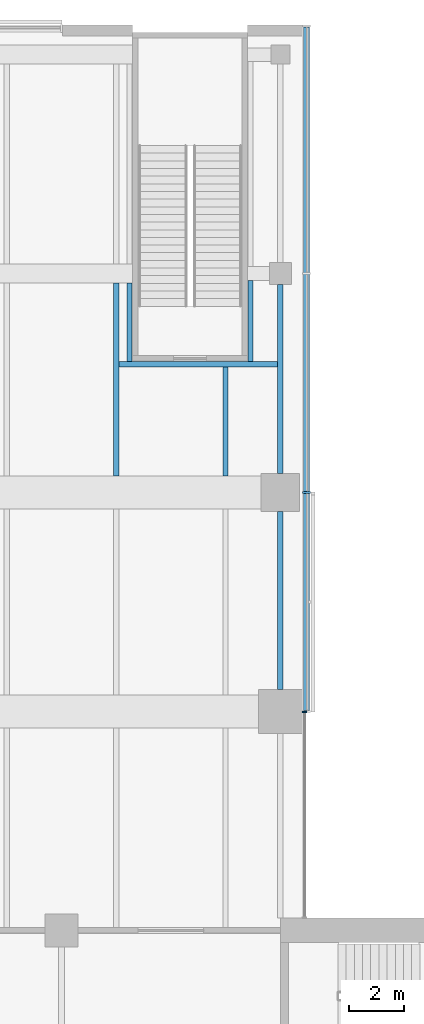
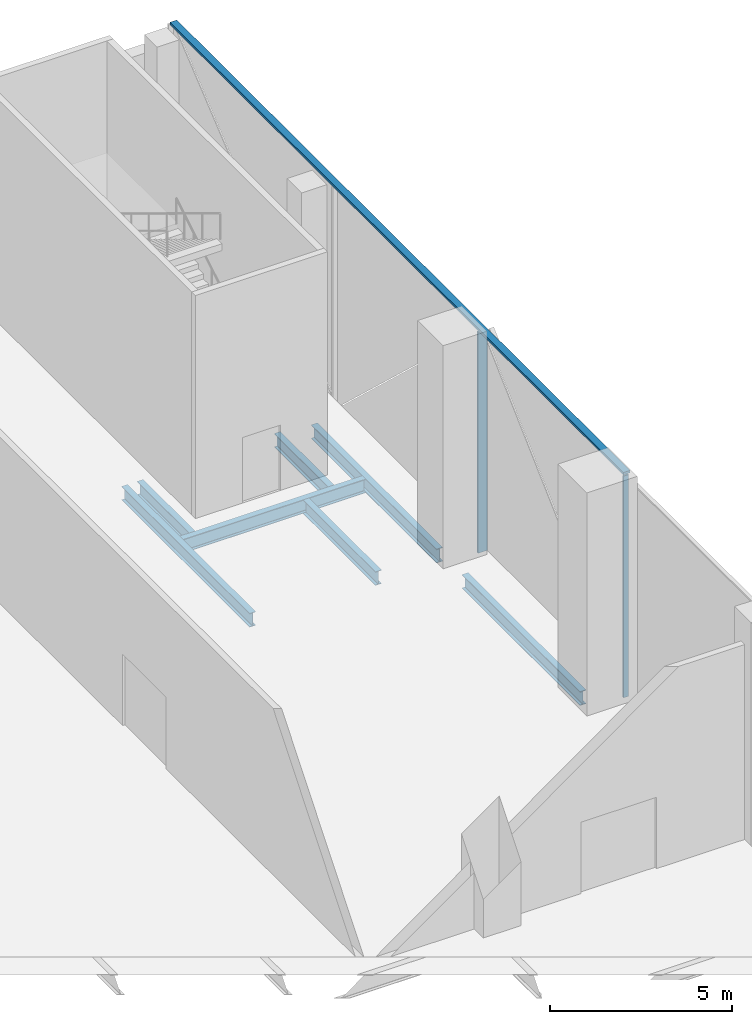
# One storey, part 10 of 25: 7 beams, 3 members, 2 elements without a shape of their own.
"""IFC4 building model written with IfcOpenShell, lengths in metres."""

from ifc_helpers import new_model, si_unit, direction, frame, origin, origin_2d, place, context, subcontext, project, spatial, rectangle, i_section, extrude, material, material_profile, profile_set, type_object, element, aggregate, save


model = new_model("IFC4")

# Units and contexts
model_context = context("Model", 3, precision=1e-05, world=origin(), true_north=direction((0.0, 1.0)))
body_context = subcontext(model_context, "Body", "Model", "MODEL_VIEW")
ifc_project = project(units=[si_unit("LENGTHUNIT", "METRE"), si_unit("AREAUNIT", "SQUARE_METRE"), si_unit("VOLUMEUNIT", "CUBIC_METRE"), si_unit("PLANEANGLEUNIT", "RADIAN"), si_unit("MASSUNIT", "GRAM", prefix="KILO")], contexts=[model_context])

# Site, building, storey
site_placement = place(None, origin())
site = spatial("IfcSite", under=ifc_project, at=site_placement, CompositionType="ELEMENT")
building_placement = place(site_placement, origin())
building = spatial("IfcBuilding", under=site, at=building_placement, Name="Crosswind Convention Tower", CompositionType="ELEMENT")
storey_placement = place(building_placement, frame((0.0, 0.0, 17.5)))
storey = spatial("IfcBuildingStorey", under=building, at=storey_placement, Name="L02", CompositionType="ELEMENT", Elevation=17.5)

# Beams
ifc_material_1 = material(Name="Steel S355", Category="steel")
ifc_material_profile_1 = material_profile(ifc_material_1, i_section(OverallWidth=0.19287109375, OverallDepth=0.467529296875, WebThickness=0.011474609375, FlangeThickness=0.01953125, FilletRadius=0.01025390625, at=origin_2d()), Name="UB 457x191x98")
ifc_profile_set_1 = profile_set([ifc_material_profile_1], Name="Steel S355")
beam_type_1 = type_object("IfcBeamType", Name="Edge beam UB 457x191x98", PredefinedType="SPANDREL", material=ifc_profile_set_1)
beam_1_placement = place(storey_placement, frame((137.0, 120.800048828125, -0.6337890625), z_axis=(0.0, 1.0, 0.0), x_axis=(-1.0, 0.0, 0.0)))
element("IfcBeam", 1, at=beam_1_placement, inside=storey, type_object=beam_type_1, Name="B20 L02 edge beam 18", PredefinedType="SPANDREL", context=body_context, shape_type="SweptSolid", body=[
    extrude(i_section(OverallWidth=0.19287109375, OverallDepth=0.467529296875, WebThickness=0.011474609375, FlangeThickness=0.01953125, FilletRadius=0.01025390625, at=origin_2d()), origin(), (0.0, 0.0, 1.0), 6.5),
])
beam_2_placement = place(storey_placement, frame((137.0, 128.699951171875, -0.6337890625), z_axis=(0.0, 1.0, 0.0), x_axis=(-1.0, 0.0, 0.0)))
element("IfcBeam", 2, at=beam_2_placement, inside=storey, type_object=beam_type_1, Name="B20 L02 edge beam 19", PredefinedType="SPANDREL", context=body_context, shape_type="SweptSolid", body=[
    extrude(i_section(OverallWidth=0.19287109375, OverallDepth=0.467529296875, WebThickness=0.011474609375, FlangeThickness=0.01953125, FilletRadius=0.01025390625, at=origin_2d()), origin(), (0.0, 0.0, 1.0), 6.900146484375),
])

# Curtain wall, member
ifc_material_2 = material(Name="Aluminium unitised curtain wall", Category="aluminium")
curtain_wall_type_1 = type_object("IfcCurtainWallType", Name="CORE END SLOT WALL 160", PredefinedType="USERDEFINED", material=ifc_material_2)
curtain_wall_1_placement = place(storey_placement, origin())
curtain_wall_1 = element("IfcCurtainWall", 3, at=curtain_wall_1_placement, inside=storey, type_object=curtain_wall_type_1, Name="CW6 L02 N-E.1-1 slot", ObjectType="UNITISED", PredefinedType="USERDEFINED")
ifc_material_3 = material(Name="Aluminium mullion", Category="aluminium")
ifc_material_profile_2 = material_profile(ifc_material_3, rectangle(XDim=0.159912109375, YDim=0.050048828125, at=origin_2d()), Name="AL 160X50")
ifc_profile_set_2 = profile_set([ifc_material_profile_2], Name="Aluminium mullion")
member_type_1 = type_object("IfcMemberType", Name="MULLION 50X160", PredefinedType="MULLION", material=ifc_profile_set_2)
member_1_placement = place(storey_placement, frame((137.8798828125, 119.97509765625, -0.39990234375), z_axis=(0.0, 0.0, 1.0), x_axis=(1.0, 0.0, 0.0)))
member_1 = element("IfcMember", 4, at=member_1_placement, type_object=member_type_1, Name="CW6 mullion 2", PredefinedType="MULLION", context=body_context, shape_type="SweptSolid", body=[
    extrude(rectangle(XDim=0.159912109375, YDim=0.050048828125, at=origin_2d()), origin(), (0.0, 0.0, 1.0), 7.449951171875),
])
aggregate(curtain_wall_1, [member_1])

curtain_wall_type_2 = type_object("IfcCurtainWallType", Name="PODIUM UNITISED WALL 300", PredefinedType="USERDEFINED", material=ifc_material_2)
curtain_wall_2_placement = place(storey_placement, origin())
curtain_wall_2 = element("IfcCurtainWall", 5, at=curtain_wall_2_placement, inside=storey, type_object=curtain_wall_type_2, Name="CW1 L02 N-E 1", ObjectType="UNITISED", PredefinedType="USERDEFINED")
ifc_material_profile_3 = material_profile(ifc_material_3, rectangle(XDim=0.300048828125, YDim=0.080078125, at=origin_2d()), Name="AL 300X80")
ifc_profile_set_3 = profile_set([ifc_material_profile_3], Name="Aluminium mullion")
member_type_2 = type_object("IfcMemberType", Name="MULLION 80X300", PredefinedType="MULLION", material=ifc_profile_set_3)
member_2_placement = place(storey_placement, frame((137.949951171875, 128.0, -0.39990234375), z_axis=(0.0, 0.0, 1.0), x_axis=(1.0, 0.0, 0.0)))
member_2 = element("IfcMember", 6, at=member_2_placement, type_object=member_type_2, Name="CW1 mullion 2", PredefinedType="MULLION", context=body_context, shape_type="SweptSolid", body=[
    extrude(rectangle(XDim=0.300048828125, YDim=0.080078125, at=origin_2d()), origin(), (0.0, 0.0, 1.0), 7.419921875),
])

# Beams
ifc_material_profile_4 = material_profile(ifc_material_1, i_section(OverallWidth=0.19140625, OverallDepth=0.460205078125, WebThickness=0.010009765625, FlangeThickness=0.01611328125, FilletRadius=0.01025390625, at=origin_2d()), Name="UB 457x191x82")
ifc_profile_set_4 = profile_set([ifc_material_profile_4], Name="Steel S355")
beam_type_2 = type_object("IfcBeamType", Name="Secondary beam UB 457x191x82", PredefinedType="JOIST", material=ifc_profile_set_4)
beam_3_placement = place(storey_placement, frame((131.0, 128.60009765625, -0.630126953125), z_axis=(0.0, 1.0, 0.0), x_axis=(-1.0, 0.0, 0.0)))
element("IfcBeam", 7, at=beam_3_placement, inside=storey, type_object=beam_type_2, Name="B13 L02 secondary beam 56", PredefinedType="JOIST", context=body_context, shape_type="SweptSolid", body=[
    extrude(i_section(OverallWidth=0.19140625, OverallDepth=0.460205078125, WebThickness=0.010009765625, FlangeThickness=0.01611328125, FilletRadius=0.01025390625, at=origin_2d()), origin(), (0.0, 0.0, 1.0), 7.0498046875),
])
beam_4_placement = place(storey_placement, frame((135.0, 128.60009765625, -0.630126953125), z_axis=(0.0, 1.0, 0.0), x_axis=(-1.0, 0.0, 0.0)))
element("IfcBeam", 8, at=beam_4_placement, inside=storey, type_object=beam_type_2, Name="B13 L02 secondary beam 63", PredefinedType="JOIST", context=body_context, shape_type="SweptSolid", body=[
    extrude(i_section(OverallWidth=0.19140625, OverallDepth=0.460205078125, WebThickness=0.010009765625, FlangeThickness=0.01611328125, FilletRadius=0.01025390625, at=origin_2d()), origin(), (0.0, 0.0, 1.0), 3.993896484375),
])

# Member
ifc_material_4 = material(Name="Aluminium transom", Category="aluminium")
ifc_material_profile_5 = material_profile(ifc_material_4, rectangle(XDim=0.219970703125, YDim=0.080078125, at=origin_2d()), Name="AL 220X80")
ifc_profile_set_5 = profile_set([ifc_material_profile_5], Name="Aluminium transom")
member_type_3 = type_object("IfcMemberType", Name="TRANSOM 80X220", PredefinedType="USERDEFINED", material=ifc_profile_set_5)
member_3_placement = place(storey_placement, frame((137.949951171875, 120.0400390625, 7.06005859375), z_axis=(0.0, 1.0, 0.0), x_axis=(-1.0, 0.0, 0.0)))
member_3 = element("IfcMember", 9, at=member_3_placement, type_object=member_type_3, Name="CW1 transom", ObjectType="TRANSOM", PredefinedType="USERDEFINED", context=body_context, shape_type="SweptSolid", body=[
    extrude(rectangle(XDim=0.219970703125, YDim=0.080078125, at=origin_2d()), origin(), (0.0, 0.0, 1.0), 24.96484375),
])

aggregate(curtain_wall_2, [member_2, member_3])

# Beams
ifc_material_profile_6 = material_profile(ifc_material_1, i_section(OverallWidth=0.19189453125, OverallDepth=0.463623046875, WebThickness=0.010498046875, FlangeThickness=0.017578125, FilletRadius=0.01025390625, at=origin_2d()), Name="UB 457x191x90")
ifc_profile_set_6 = profile_set([ifc_material_profile_6], Name="Steel S355")
beam_type_3 = type_object("IfcBeamType", Name="Trimmer beam UB 457x191x90", PredefinedType="BEAM", material=ifc_profile_set_6)
beam_5_placement = place(storey_placement, frame((131.095703125, 132.68994140625, -0.6318359375), z_axis=(1.0, 0.0, 0.0), x_axis=(0.0, 1.0, 0.0)))
element("IfcBeam", 10, at=beam_5_placement, inside=storey, type_object=beam_type_3, Name="B33 L02 trimmer beam 22", PredefinedType="BEAM", context=body_context, shape_type="SweptSolid", body=[
    extrude(i_section(OverallWidth=0.19189453125, OverallDepth=0.463623046875, WebThickness=0.010498046875, FlangeThickness=0.017578125, FilletRadius=0.01025390625, at=origin_2d()), origin(), (0.0, 0.0, 1.0), 5.807861328125),
])
beam_6_placement = place(storey_placement, frame((131.489990234375, 132.785888671875, -0.6318359375), z_axis=(0.0, 1.0, 0.0), x_axis=(-1.0, 0.0, 0.0)))
element("IfcBeam", 11, at=beam_6_placement, inside=storey, type_object=beam_type_3, Name="B33 L02 trimmer beam 25", PredefinedType="BEAM", context=body_context, shape_type="SweptSolid", body=[
    extrude(i_section(OverallWidth=0.19189453125, OverallDepth=0.463623046875, WebThickness=0.010498046875, FlangeThickness=0.017578125, FilletRadius=0.01025390625, at=origin_2d()), origin(), (0.0, 0.0, 1.0), 2.864013671875),
])
beam_7_placement = place(storey_placement, frame((135.909912109375, 132.785888671875, -0.6318359375), z_axis=(0.0, 1.0, 0.0), x_axis=(-1.0, 0.0, 0.0)))
element("IfcBeam", 12, at=beam_7_placement, inside=storey, type_object=beam_type_3, Name="B33 L02 trimmer beam 29", PredefinedType="BEAM", context=body_context, shape_type="SweptSolid", body=[
    extrude(i_section(OverallWidth=0.19189453125, OverallDepth=0.463623046875, WebThickness=0.010498046875, FlangeThickness=0.017578125, FilletRadius=0.01025390625, at=origin_2d()), origin(), (0.0, 0.0, 1.0), 2.964111328125),
])

save(model, "model.ifc")
